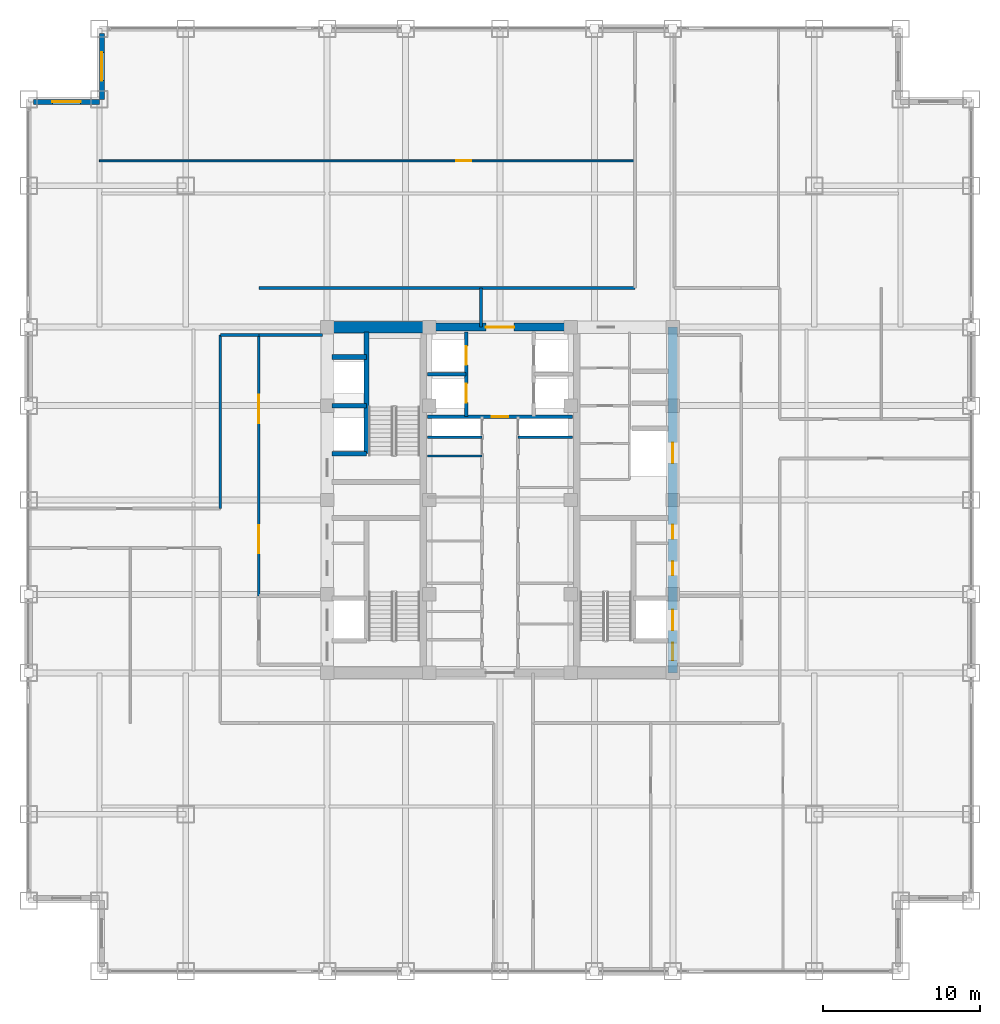
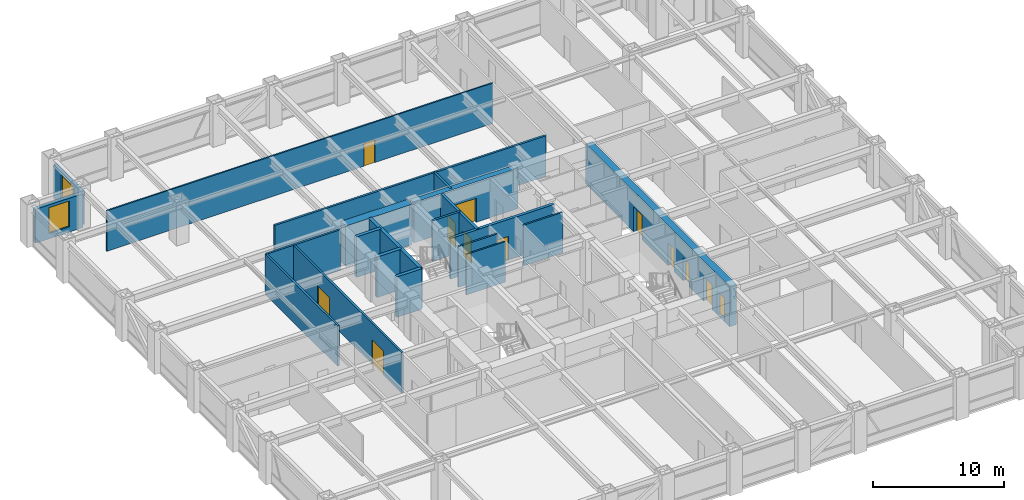
# One storey, part 22 of 25: 22 walls, 12 doors, 2 windows, 14 openings.
"""IFC4 building model written with IfcOpenShell, lengths in metres."""

from ifc_helpers import new_model, si_unit, direction, frame, frame_2d, origin, place, context, subcontext, project, spatial, rectangle, extrude, source, transform, mapped, material, layer, layer_set, type_object, element, fill, save


model = new_model("IFC4")

# Units and contexts
model_context = context("Model", 3, precision=1e-05, world=origin(), true_north=direction((0.0, 1.0)))
body_context = subcontext(model_context, "Body", "Model", "MODEL_VIEW")
ifc_project = project(units=[si_unit("LENGTHUNIT", "METRE"), si_unit("AREAUNIT", "SQUARE_METRE"), si_unit("VOLUMEUNIT", "CUBIC_METRE"), si_unit("PLANEANGLEUNIT", "RADIAN"), si_unit("MASSUNIT", "GRAM", prefix="KILO")], contexts=[model_context])

# Site, building, storey
site_placement = place(None, origin())
site = spatial("IfcSite", under=ifc_project, at=site_placement, CompositionType="ELEMENT")
building_placement = place(site_placement, origin())
building = spatial("IfcBuilding", under=site, at=building_placement, Name="Khorayat Bourse Tower", CompositionType="ELEMENT")
storey_placement = place(building_placement, frame((0.0, 0.0, 195.10009765625)))
storey = spatial("IfcBuildingStorey", under=building, at=storey_placement, Name="L45", CompositionType="ELEMENT", Elevation=195.10009765625)

# Wall, openings, doors
ifc_material_1 = material(Name="Concrete C60/75", Category="concrete")
ifc_layer_1 = layer(ifc_material_1, 0.60009765625)
ifc_layer_set_1 = layer_set([ifc_layer_1], Name="Concrete C60/75")
wall_type_1 = type_object("IfcWallType", Name="WAL-CORE-600", PredefinedType="SHEAR", material=ifc_layer_set_1)
shared_shape_1 = source(origin(), body_context, "Body", "SweptSolid", [
    extrude(rectangle(XDim=22.0, YDim=0.60009765625, at=frame_2d((11.0, 0.0))), origin(), (0.0, 0.0, 1.0), 3.77978515625),
])
wall_1_placement = place(storey_placement, frame((11.0, -11.0, 0.0), z_axis=(0.0, 0.0, 1.0), x_axis=(0.0, 1.0, 0.0)))
wall_1 = element("IfcWall", 1, at=wall_1_placement, inside=storey, type_object=wall_type_1, Name="L45 Core Shear Wall CORE-E", PredefinedType="SHEAR", context=body_context, shape_type="MappedRepresentation", body=[
    mapped(shared_shape_1, transform((0.0, 0.0, 0.0), scale=1.0)),
])
shared_shape_2 = source(origin(), body_context, "Body", "SweptSolid", [
    extrude(rectangle(XDim=1.10009765625, YDim=2.199951171875, at=frame_2d((0.550048828125, 1.10009765625))), frame((0.0, 0.31005859375, 0.0), z_axis=(0.0, -1.0, 0.0), x_axis=(1.0, 0.0, 0.0)), (0.0, 0.0, 1.0), 0.6201171875),
])
opening_1_placement = place(wall_1_placement, frame((0.800048828125, 0.0, 0.0)))
opening_1 = element("IfcOpeningElement", 2, at=opening_1_placement, cuts=wall_1, Name="Opening DI-01", PredefinedType="OPENING", context=body_context, shape_type="MappedRepresentation", body=[
    mapped(shared_shape_2, transform((0.0, 0.0, 0.0), scale=1.0)),
])
shared_shape_3 = source(origin(), body_context, "Body", "SweptSolid", [
    extrude(rectangle(XDim=0.89990234375, YDim=2.14990234375, at=frame_2d((0.449951171875, 1.074951171875))), frame((0.0, 0.31005859375, 0.0), z_axis=(0.0, -1.0, 0.0), x_axis=(1.0, 0.0, 0.0)), (0.0, 0.0, 1.0), 0.6201171875),
])
opening_2_placement = place(wall_1_placement, frame((6.199951171875, 0.0, 0.0)))
opening_2 = element("IfcOpeningElement", 3, at=opening_2_placement, cuts=wall_1, Name="Opening DI-06", PredefinedType="OPENING", context=body_context, shape_type="MappedRepresentation", body=[
    mapped(shared_shape_3, transform((0.0, 0.0, 0.0), scale=1.0)),
])
opening_3_placement = place(wall_1_placement, frame((8.52490234375, 0.0, 0.0)))
opening_3 = element("IfcOpeningElement", 4, at=opening_3_placement, cuts=wall_1, Name="Opening DI-06", PredefinedType="OPENING", context=body_context, shape_type="MappedRepresentation", body=[
    mapped(shared_shape_3, transform((0.0, 0.0, 0.0), scale=1.0)),
])
shared_shape_4 = source(origin(), body_context, "Body", "SweptSolid", [
    extrude(rectangle(XDim=1.300048828125, YDim=2.300048828125, at=frame_2d((0.64990234375, 1.14990234375))), frame((0.0, 0.31005859375, 0.0), z_axis=(0.0, -1.0, 0.0), x_axis=(1.0, 0.0, 0.0)), (0.0, 0.0, 1.0), 0.6201171875),
])
opening_4_placement = place(wall_1_placement, frame((2.699951171875, 0.0, 0.0)))
opening_4 = element("IfcOpeningElement", 5, at=opening_4_placement, cuts=wall_1, Name="Opening LD-02", PredefinedType="OPENING", context=body_context, shape_type="MappedRepresentation", body=[
    mapped(shared_shape_4, transform((0.0, 0.0, 0.0), scale=1.0)),
])
opening_5_placement = place(wall_1_placement, frame((13.35009765625, 0.0, 0.0)))
opening_5 = element("IfcOpeningElement", 6, at=opening_5_placement, cuts=wall_1, Name="Opening LD-02", PredefinedType="OPENING", context=body_context, shape_type="MappedRepresentation", body=[
    mapped(shared_shape_4, transform((0.0, 0.0, 0.0), scale=1.0)),
])
ifc_material_2 = material(Name="Fire-rated steel acoustic leaf", Category="steel")
door_type_1 = type_object("IfcDoorType", Name="DR-INT-STAIR-1100", OperationType="NOTDEFINED", PredefinedType="DOOR", material=ifc_material_2)
shared_shape_5 = source(origin(), body_context, "Body", "SweptSolid", [
    extrude(rectangle(XDim=1.10009765625, YDim=2.199951171875, at=frame_2d((0.550048828125, 1.10009765625))), frame((0.0, 0.02490234375, 0.0), z_axis=(0.0, -1.0, 0.0), x_axis=(1.0, 0.0, 0.0)), (0.0, 0.0, 1.0), 0.050048828125),
])
door_1_placement = place(opening_1_placement, origin())
door_1 = element("IfcDoor", 7, at=door_1_placement, inside=storey, type_object=door_type_1, Name="L45 Exit Stair 3 Door", OperationType="SINGLE_SWING_LEFT", OverallHeight=2.199951171875, OverallWidth=1.10009765625, PredefinedType="DOOR", context=body_context, shape_type="MappedRepresentation", body=[
    mapped(shared_shape_5, transform((0.0, 0.0, 0.0), scale=1.0)),
])
fill(opening_1, door_1)
ifc_material_3 = material(Name="Moisture-resistant laminate washroom door")
door_type_2 = type_object("IfcDoorType", Name="DR-INT-WC-900", OperationType="NOTDEFINED", PredefinedType="DOOR", material=ifc_material_3)
shared_shape_6 = source(origin(), body_context, "Body", "SweptSolid", [
    extrude(rectangle(XDim=0.89990234375, YDim=2.14990234375, at=frame_2d((0.449951171875, 1.074951171875))), frame((0.0, 0.02490234375, 0.0), z_axis=(0.0, -1.0, 0.0), x_axis=(1.0, 0.0, 0.0)), (0.0, 0.0, 1.0), 0.050048828125),
])
door_2_placement = place(opening_2_placement, origin())
door_2 = element("IfcDoor", 8, at=door_2_placement, inside=storey, type_object=door_type_2, Name="L45 Telecom Closet Door", OperationType="SINGLE_SWING_LEFT", OverallHeight=2.14990234375, OverallWidth=0.89990234375, PredefinedType="DOOR", context=body_context, shape_type="MappedRepresentation", body=[
    mapped(shared_shape_6, transform((0.0, 0.0, 0.0), scale=1.0)),
])
fill(opening_2, door_2)
door_3_placement = place(opening_3_placement, origin())
door_3 = element("IfcDoor", 9, at=door_3_placement, inside=storey, type_object=door_type_2, Name="L45 Stationery Store Door", OperationType="SINGLE_SWING_RIGHT", OverallHeight=2.14990234375, OverallWidth=0.89990234375, PredefinedType="DOOR", context=body_context, shape_type="MappedRepresentation", body=[
    mapped(shared_shape_6, transform((0.0, 0.0, 0.0), scale=1.0)),
])
fill(opening_3, door_3)
ifc_material_4 = material(Name="Fire-rated stainless-steel sliding landing door", Category="steel")
door_type_3 = type_object("IfcDoorType", Name="DR-LIFT-FF-1300", OperationType="NOTDEFINED", PredefinedType="DOOR", material=ifc_material_4)
shared_shape_7 = source(origin(), body_context, "Body", "SweptSolid", [
    extrude(rectangle(XDim=1.300048828125, YDim=2.300048828125, at=frame_2d((0.64990234375, 1.14990234375))), frame((0.0, 0.02490234375, 0.0), z_axis=(0.0, -1.0, 0.0), x_axis=(1.0, 0.0, 0.0)), (0.0, 0.0, 1.0), 0.050048828125),
])
door_4_placement = place(opening_4_placement, origin())
door_4 = element("IfcDoor", 10, at=door_4_placement, inside=storey, type_object=door_type_3, Name="L45 Lift FFL-02 Sliding Landing Door", OperationType="SLIDING_TO_LEFT", OverallHeight=2.300048828125, OverallWidth=1.300048828125, PredefinedType="DOOR", context=body_context, shape_type="MappedRepresentation", body=[
    mapped(shared_shape_7, transform((0.0, 0.0, 0.0), scale=1.0)),
])
fill(opening_4, door_4)
door_5_placement = place(opening_5_placement, origin())
door_5 = element("IfcDoor", 11, at=door_5_placement, inside=storey, type_object=door_type_3, Name="L45 Lift SVL-01 Sliding Landing Door", OperationType="SLIDING_TO_LEFT", OverallHeight=2.300048828125, OverallWidth=1.300048828125, PredefinedType="DOOR", context=body_context, shape_type="MappedRepresentation", body=[
    mapped(shared_shape_7, transform((0.0, 0.0, 0.0), scale=1.0)),
])
fill(opening_5, door_5)

# Wall
ifc_material_5 = material(Name="Concrete C72/90", Category="concrete")
ifc_layer_2 = layer(ifc_material_5, 0.75)
ifc_layer_set_2 = layer_set([ifc_layer_2], Name="Concrete C72/90")
wall_type_2 = type_object("IfcWallType", Name="WAL-CORE-750", PredefinedType="SHEAR", material=ifc_layer_set_2)
shared_shape_8 = source(origin(), body_context, "Body", "SweptSolid", [
    extrude(rectangle(XDim=5.849853515625, YDim=0.75, at=frame_2d((2.9248046875, 0.0))), origin(), (0.0, 0.0, 1.0), 3.77978515625),
])
wall_2_placement = place(storey_placement, frame((-10.699951171875, 11.0, 0.0), z_axis=(0.0, 0.0, 1.0), x_axis=(1.0, 0.0, 0.0)))
element("IfcWall", 12, at=wall_2_placement, inside=storey, type_object=wall_type_2, Name="L45 Core Shear Wall PIER-WN", PredefinedType="SHEAR", context=body_context, shape_type="MappedRepresentation", body=[
    mapped(shared_shape_8, transform((0.0, 0.0, 0.0), scale=1.0)),
])

# Wall, opening, door
ifc_material_6 = material(Name="Concrete C52/65", Category="concrete")
ifc_layer_3 = layer(ifc_material_6, 0.5)
ifc_layer_set_3 = layer_set([ifc_layer_3], Name="Concrete C52/65")
wall_type_3 = type_object("IfcWallType", Name="WAL-CORE-500", PredefinedType="SHEAR", material=ifc_layer_set_3)
shared_shape_9 = source(origin(), body_context, "Body", "SweptSolid", [
    extrude(rectangle(XDim=9.2001953125, YDim=0.5, at=frame_2d((4.60009765625, 0.0))), origin(), (0.0, 0.0, 1.0), 3.77978515625),
])
wall_3_placement = place(storey_placement, frame((-4.60009765625, 11.0, 0.0), z_axis=(0.0, 0.0, 1.0), x_axis=(1.0, 0.0, 0.0)))
wall_3 = element("IfcWall", 13, at=wall_3_placement, inside=storey, type_object=wall_type_3, Name="L45 Core Shear Wall CORE-N", PredefinedType="SHEAR", context=body_context, shape_type="MappedRepresentation", body=[
    mapped(shared_shape_9, transform((0.0, 0.0, 0.0), scale=1.0)),
])
shared_shape_10 = source(origin(), body_context, "Body", "SweptSolid", [
    extrude(rectangle(XDim=1.800048828125, YDim=2.25, at=frame_2d((0.89990234375, 1.125))), frame((0.0, 0.260009765625, 0.0), z_axis=(0.0, -1.0, 0.0), x_axis=(1.0, 0.0, 0.0)), (0.0, 0.0, 1.0), 0.52001953125),
])
opening_6_placement = place(wall_3_placement, frame((3.699951171875, 0.0, 0.0)))
opening_6 = element("IfcOpeningElement", 14, at=opening_6_placement, cuts=wall_3, Name="Opening DI-03", PredefinedType="OPENING", context=body_context, shape_type="MappedRepresentation", body=[
    mapped(shared_shape_10, transform((0.0, 0.0, 0.0), scale=1.0)),
])
ifc_material_7 = material(Name="Fire-rated hardwood vision-panel double leaf", Category="wood")
door_type_4 = type_object("IfcDoorType", Name="DR-INT-CORR-1800", OperationType="NOTDEFINED", PredefinedType="DOOR", material=ifc_material_7)
shared_shape_11 = source(origin(), body_context, "Body", "SweptSolid", [
    extrude(rectangle(XDim=1.800048828125, YDim=2.25, at=frame_2d((0.89990234375, 1.125))), frame((0.0, 0.02490234375, 0.0), z_axis=(0.0, -1.0, 0.0), x_axis=(1.0, 0.0, 0.0)), (0.0, 0.0, 1.0), 0.050048828125),
])
door_6_placement = place(opening_6_placement, origin())
door_6 = element("IfcDoor", 15, at=door_6_placement, inside=storey, type_object=door_type_4, Name="L45 Mid-Rise Lift Lobby Door", OperationType="SINGLE_SWING_RIGHT", OverallHeight=2.25, OverallWidth=1.800048828125, PredefinedType="DOOR", context=body_context, shape_type="MappedRepresentation", body=[
    mapped(shared_shape_11, transform((0.0, 0.0, 0.0), scale=1.0)),
])
fill(opening_6, door_6)

# Wall, opening, window
ifc_material_8 = material(Name="Precast concrete C45/55", Category="concrete")
ifc_layer_4 = layer(ifc_material_8, 0.320068359375)
ifc_layer_set_4 = layer_set([ifc_layer_4], Name="Precast concrete C45/55")
wall_type_4 = type_object("IfcWallType", Name="WAL-EXT-STONE-320", PredefinedType="STANDARD", material=ifc_layer_set_4)
shared_shape_12 = source(origin(), body_context, "Body", "SweptSolid", [
    extrude(rectangle(XDim=4.179931640625, YDim=0.320068359375, at=frame_2d((2.08984375, 0.0))), origin(), (0.0, 0.0, 1.0), 3.163818359375),
])
wall_4_placement = place(storey_placement, frame((-25.340087890625, 25.5, 0.0), z_axis=(0.0, 0.0, 1.0), x_axis=(0.0, 1.0, 0.0)))
wall_4 = element("IfcWall", 16, at=wall_4_placement, inside=storey, type_object=wall_type_4, Name="L45 Re-Entrant Notch Limestone Wall NW-V", PredefinedType="STANDARD", context=body_context, shape_type="MappedRepresentation", body=[
    mapped(shared_shape_12, transform((0.0, 0.0, 0.0), scale=1.0)),
])
shared_shape_13 = source(origin(), body_context, "Body", "SweptSolid", [
    extrude(rectangle(XDim=1.800048828125, YDim=2.39990234375, at=frame_2d((0.89990234375, 1.199951171875))), frame((0.0, 0.169921875, 0.0), z_axis=(0.0, -1.0, 0.0), x_axis=(1.0, 0.0, 0.0)), (0.0, 0.0, 1.0), 0.340087890625),
])
opening_7_placement = place(wall_4_placement, frame((1.18994140625, 0.0, 0.5)))
opening_7 = element("IfcOpeningElement", 17, at=opening_7_placement, cuts=wall_4, Name="Opening WN-04", PredefinedType="OPENING", context=body_context, shape_type="MappedRepresentation", body=[
    mapped(shared_shape_13, transform((0.0, 0.0, 0.0), scale=1.0)),
])
ifc_material_9 = material(Name="Low-E acoustic laminated double glazing", Category="glass")
window_type = type_object("IfcWindowType", Name="WIN-NOTCH-1800x2400", PartitioningType="SINGLE_PANEL", PredefinedType="WINDOW", material=ifc_material_9)
shared_shape_14 = source(origin(), body_context, "Body", "SweptSolid", [
    extrude(rectangle(XDim=1.800048828125, YDim=2.39990234375, at=frame_2d((0.89990234375, 1.199951171875))), frame((0.0, 0.030029296875, 0.0), z_axis=(0.0, -1.0, 0.0), x_axis=(1.0, 0.0, 0.0)), (0.0, 0.0, 1.0), 0.06005859375),
])
window_1_placement = place(opening_7_placement, origin())
window_1 = element("IfcWindow", 18, at=window_1_placement, inside=storey, type_object=window_type, Name="L45 Facade Window 1", OverallHeight=2.39990234375, OverallWidth=1.800048828125, PartitioningType="SINGLE_PANEL", PredefinedType="WINDOW", context=body_context, shape_type="MappedRepresentation", body=[
    mapped(shared_shape_14, transform((0.0, 0.0, 0.0), scale=1.0)),
])
fill(opening_7, window_1)

wall_5_placement = place(storey_placement, frame((-25.5, 25.340087890625, 0.0), z_axis=(0.0, 0.0, 1.0), x_axis=(-1.0, 0.0, 0.0)))
wall_5 = element("IfcWall", 19, at=wall_5_placement, inside=storey, type_object=wall_type_4, Name="L45 Re-Entrant Notch Limestone Wall NW-H", PredefinedType="STANDARD", context=body_context, shape_type="MappedRepresentation", body=[
    mapped(shared_shape_12, transform((0.0, 0.0, 0.0), scale=1.0)),
])
opening_8_placement = place(wall_5_placement, frame((1.18994140625, 0.0, 0.5)))
opening_8 = element("IfcOpeningElement", 20, at=opening_8_placement, cuts=wall_5, Name="Opening WN-04", PredefinedType="OPENING", context=body_context, shape_type="MappedRepresentation", body=[
    mapped(shared_shape_13, transform((0.0, 0.0, 0.0), scale=1.0)),
])
window_2_placement = place(opening_8_placement, origin())
window_2 = element("IfcWindow", 21, at=window_2_placement, inside=storey, type_object=window_type, Name="L45 Facade Window 1", OverallHeight=2.39990234375, OverallWidth=1.800048828125, PartitioningType="SINGLE_PANEL", PredefinedType="WINDOW", context=body_context, shape_type="MappedRepresentation", body=[
    mapped(shared_shape_14, transform((0.0, 0.0, 0.0), scale=1.0)),
])
fill(opening_8, window_2)

# Walls
ifc_material_10 = material(Name="Concrete C50/60", Category="concrete")
ifc_layer_5 = layer(ifc_material_10, 0.300048828125)
ifc_layer_set_5 = layer_set([ifc_layer_5], Name="Concrete C50/60")
wall_type_5 = type_object("IfcWallType", Name="WAL-SHAFT-300", PredefinedType="SHEAR", material=ifc_layer_set_5)
shared_shape_15 = source(origin(), body_context, "Body", "SweptSolid", [
    extrude(rectangle(XDim=2.199951171875, YDim=0.300048828125, at=frame_2d((1.10009765625, 0.0))), origin(), (0.0, 0.0, 1.0), 3.77978515625),
])
for number, where, z_axis, x_axis, name in (
    (22, (-10.699951171875, 2.949951171875, 0.0), (0.0, 0.0, 1.0), (1.0, 0.0, 0.0), "L45 Partition WAL-L45-WPIER-H1S"),
    (23, (-10.699951171875, 6.0, 0.0), (0.0, 0.0, 1.0), (1.0, 0.0, 0.0), "L45 Partition WAL-L45-WPIER-H12"),
    (24, (-10.699951171875, 9.10009765625, 0.0), (0.0, 0.0, 1.0), (1.0, 0.0, 0.0), "L45 Partition WAL-L45-WPIER-H2N"),
):
    element("IfcWall", number, at=place(storey_placement, frame(where, z_axis=z_axis, x_axis=x_axis)), inside=storey, type_object=wall_type_5, Name=name, PredefinedType="SHEAR", context=body_context, shape_type="MappedRepresentation", body=[
        mapped(shared_shape_15, transform((0.0, 0.0, 0.0), scale=1.0)),
    ])
shared_shape_16 = source(origin(), body_context, "Body", "SweptSolid", [
    extrude(rectangle(XDim=7.75, YDim=0.300048828125, at=frame_2d((3.875, 0.0))), origin(), (0.0, 0.0, 1.0), 3.77978515625),
])
wall_6_placement = place(storey_placement, frame((-8.5, 2.949951171875, 0.0), z_axis=(0.0, 0.0, 1.0), x_axis=(0.0, 1.0, 0.0)))
element("IfcWall", 25, at=wall_6_placement, inside=storey, type_object=wall_type_5, Name="L45 Partition WAL-L45-WPIER-ST2S", PredefinedType="SHEAR", context=body_context, shape_type="MappedRepresentation", body=[
    mapped(shared_shape_16, transform((0.0, 0.0, 0.0), scale=1.0)),
])
ifc_material_11 = material(Name="Gypsum plasterboard acoustic stud wall")
ifc_layer_6 = layer(ifc_material_11, 0.179931640625)
ifc_layer_set_6 = layer_set([ifc_layer_6], Name="Gypsum plasterboard acoustic stud wall")
wall_type_6 = type_object("IfcWallType", Name="WAL-PART-CORR-180", PredefinedType="PARTITIONING", material=ifc_layer_set_6)
shared_shape_17 = source(origin(), body_context, "Body", "SweptSolid", [
    extrude(rectangle(XDim=4.050048828125, YDim=0.179931640625, at=frame_2d((2.02490234375, 0.0))), origin(), (0.0, 0.0, 1.0), 3.77978515625),
])
wall_7_placement = place(storey_placement, frame((-15.35009765625, 10.5, 0.0), z_axis=(0.0, 0.0, 1.0), x_axis=(1.0, 0.0, 0.0)))
element("IfcWall", 26, at=wall_7_placement, inside=storey, type_object=wall_type_6, Name="L45 Partition WAL-L45-WLOB-N", PredefinedType="PARTITIONING", context=body_context, shape_type="MappedRepresentation", body=[
    mapped(shared_shape_17, transform((0.0, 0.0, 0.0), scale=1.0)),
])

# Wall, openings, doors
shared_shape_18 = source(origin(), body_context, "Body", "SweptSolid", [
    extrude(rectangle(XDim=16.60009765625, YDim=0.179931640625, at=frame_2d((8.300048828125, 0.0))), origin(), (0.0, 0.0, 1.0), 3.77978515625),
])
wall_8_placement = place(storey_placement, frame((-15.35009765625, -6.10009765625, 0.0), z_axis=(0.0, 0.0, 1.0), x_axis=(0.0, 1.0, 0.0)))
wall_8 = element("IfcWall", 27, at=wall_8_placement, inside=storey, type_object=wall_type_6, Name="L45 Partition WAL-L45-WLOB-W", PredefinedType="PARTITIONING", context=body_context, shape_type="MappedRepresentation", body=[
    mapped(shared_shape_18, transform((0.0, 0.0, 0.0), scale=1.0)),
])
shared_shape_19 = source(origin(), body_context, "Body", "SweptSolid", [
    extrude(rectangle(XDim=1.800048828125, YDim=2.25, at=frame_2d((0.89990234375, 1.125))), frame((0.0, 0.099853515625, 0.0), z_axis=(0.0, -1.0, 0.0), x_axis=(1.0, 0.0, 0.0)), (0.0, 0.0, 1.0), 0.199951171875),
])
opening_9_placement = place(wall_8_placement, frame((2.699951171875, 0.0, 0.0)))
opening_9 = element("IfcOpeningElement", 28, at=opening_9_placement, cuts=wall_8, Name="Opening DI-03", PredefinedType="OPENING", context=body_context, shape_type="MappedRepresentation", body=[
    mapped(shared_shape_19, transform((0.0, 0.0, 0.0), scale=1.0)),
])
opening_10_placement = place(wall_8_placement, frame((11.0, 0.0, 0.0)))
opening_10 = element("IfcOpeningElement", 29, at=opening_10_placement, cuts=wall_8, Name="Opening DI-03", PredefinedType="OPENING", context=body_context, shape_type="MappedRepresentation", body=[
    mapped(shared_shape_19, transform((0.0, 0.0, 0.0), scale=1.0)),
])
door_7_placement = place(opening_9_placement, origin())
door_7 = element("IfcDoor", 30, at=door_7_placement, inside=storey, type_object=door_type_4, Name="L45 West Core Lobby South Door", OperationType="SINGLE_SWING_LEFT", OverallHeight=2.25, OverallWidth=1.800048828125, PredefinedType="DOOR", context=body_context, shape_type="MappedRepresentation", body=[
    mapped(shared_shape_11, transform((0.0, 0.0, 0.0), scale=1.0)),
])
fill(opening_9, door_7)
door_8_placement = place(opening_10_placement, origin())
door_8 = element("IfcDoor", 31, at=door_8_placement, inside=storey, type_object=door_type_4, Name="L45 West Core Lobby North Door", OperationType="SINGLE_SWING_RIGHT", OverallHeight=2.25, OverallWidth=1.800048828125, PredefinedType="DOOR", context=body_context, shape_type="MappedRepresentation", body=[
    mapped(shared_shape_11, transform((0.0, 0.0, 0.0), scale=1.0)),
])
fill(opening_10, door_8)

# Walls
ifc_material_12 = material(Name="Gypsum plasterboard twin-frame partition")
ifc_layer_7 = layer(ifc_material_12, 0.14990234375)
ifc_layer_set_7 = layer_set([ifc_layer_7], Name="Gypsum plasterboard twin-frame partition")
wall_type_7 = type_object("IfcWallType", Name="WAL-PART-SUITE-150", PredefinedType="PARTITIONING", material=ifc_layer_set_7)
shared_shape_20 = source(origin(), body_context, "Body", "SweptSolid", [
    extrude(rectangle(XDim=3.4501953125, YDim=0.14990234375, at=frame_2d((1.72509765625, 0.0))), origin(), (0.0, 0.0, 1.0), 3.77978515625),
])
for number, where, z_axis, x_axis, name in (
    (32, (-4.60009765625, 4.0, 0.0), (0.0, 0.0, 1.0), (1.0, 0.0, 0.0), "L45 Partition WAL-L45-CRSW-S"),
    (33, (1.14990234375, 4.0, 0.0), (0.0, 0.0, 1.0), (1.0, 0.0, 0.0), "L45 Partition WAL-L45-CRSE-S"),
):
    element("IfcWall", number, at=place(storey_placement, frame(where, z_axis=z_axis, x_axis=x_axis)), inside=storey, type_object=wall_type_7, Name=name, PredefinedType="PARTITIONING", context=body_context, shape_type="MappedRepresentation", body=[
        mapped(shared_shape_20, transform((0.0, 0.0, 0.0), scale=1.0)),
    ])
ifc_material_13 = material(Name="Moisture-resistant masonry partition", Category="masonry")
ifc_layer_8 = layer(ifc_material_13, 0.139892578125)
ifc_layer_set_8 = layer_set([ifc_layer_8], Name="Moisture-resistant masonry partition")
wall_type_8 = type_object("IfcWallType", Name="WAL-PART-WET-140", PredefinedType="PARTITIONING", material=ifc_layer_set_8)
shared_shape_21 = source(origin(), body_context, "Body", "SweptSolid", [
    extrude(rectangle(XDim=3.4501953125, YDim=0.139892578125, at=frame_2d((1.72509765625, 0.0))), origin(), (0.0, 0.0, 1.0), 3.77978515625),
])
wall_9_placement = place(storey_placement, frame((-4.60009765625, 2.800048828125, 0.0), z_axis=(0.0, 0.0, 1.0), x_axis=(1.0, 0.0, 0.0)))
element("IfcWall", 34, at=wall_9_placement, inside=storey, type_object=wall_type_8, Name="L45 Partition WAL-L45-CMW-D3", PredefinedType="PARTITIONING", context=body_context, shape_type="MappedRepresentation", body=[
    mapped(shared_shape_21, transform((0.0, 0.0, 0.0), scale=1.0)),
])

# Wall, openings, doors
shared_shape_22 = source(origin(), body_context, "Body", "SweptSolid", [
    extrude(rectangle(XDim=5.39990234375, YDim=0.25, at=frame_2d((2.699951171875, 0.0))), origin(), (0.0, 0.0, 1.0), 3.77978515625),
])
wall_10_placement = place(storey_placement, frame((-2.14990234375, 5.300048828125, 0.0), z_axis=(0.0, 0.0, 1.0), x_axis=(0.0, 1.0, 0.0)))
wall_10 = element("IfcWall", 35, at=wall_10_placement, inside=storey, type_object=wall_type_5, Name="L45 Partition WAL-L45-B2-W", PredefinedType="SHEAR", context=body_context, shape_type="MappedRepresentation", body=[
    mapped(shared_shape_22, transform((0.0, 0.0, 0.0), scale=1.0)),
])
shared_shape_23 = source(origin(), body_context, "Body", "SweptSolid", [
    extrude(rectangle(XDim=1.199951171875, YDim=2.300048828125, at=frame_2d((0.60009765625, 1.14990234375))), frame((0.0, 0.135009765625, 0.0), z_axis=(0.0, -1.0, 0.0), x_axis=(1.0, 0.0, 0.0)), (0.0, 0.0, 1.0), 0.27001953125),
])
opening_11_placement = place(wall_10_placement, frame((3.300048828125, 0.0, 0.0)))
opening_11 = element("IfcOpeningElement", 36, at=opening_11_placement, cuts=wall_10, Name="Opening LD-01", PredefinedType="OPENING", context=body_context, shape_type="MappedRepresentation", body=[
    mapped(shared_shape_23, transform((0.0, 0.0, 0.0), scale=1.0)),
])
opening_12_placement = place(wall_10_placement, frame((0.89990234375, 0.0, 0.0)))
opening_12 = element("IfcOpeningElement", 37, at=opening_12_placement, cuts=wall_10, Name="Opening LD-01", PredefinedType="OPENING", context=body_context, shape_type="MappedRepresentation", body=[
    mapped(shared_shape_23, transform((0.0, 0.0, 0.0), scale=1.0)),
])
ifc_material_14 = material(Name="Brushed bronze stainless-steel sliding door", Category="steel")
door_type_5 = type_object("IfcDoorType", Name="DR-LIFT-PASS-1200", OperationType="NOTDEFINED", PredefinedType="DOOR", material=ifc_material_14)
shared_shape_24 = source(origin(), body_context, "Body", "SweptSolid", [
    extrude(rectangle(XDim=1.199951171875, YDim=2.300048828125, at=frame_2d((0.60009765625, 1.14990234375))), frame((0.0, 0.02490234375, 0.0), z_axis=(0.0, -1.0, 0.0), x_axis=(1.0, 0.0, 0.0)), (0.0, 0.0, 1.0), 0.050048828125),
])
door_9_placement = place(opening_11_placement, origin())
door_9 = element("IfcDoor", 38, at=door_9_placement, inside=storey, type_object=door_type_5, Name="L45 Lift PL-M1 Sliding Landing Door", OperationType="SLIDING_TO_LEFT", OverallHeight=2.300048828125, OverallWidth=1.199951171875, PredefinedType="DOOR", context=body_context, shape_type="MappedRepresentation", body=[
    mapped(shared_shape_24, transform((0.0, 0.0, 0.0), scale=1.0)),
])
fill(opening_11, door_9)
door_10_placement = place(opening_12_placement, origin())
door_10 = element("IfcDoor", 39, at=door_10_placement, inside=storey, type_object=door_type_5, Name="L45 Lift PL-M3 Sliding Landing Door", OperationType="SLIDING_TO_LEFT", OverallHeight=2.300048828125, OverallWidth=1.199951171875, PredefinedType="DOOR", context=body_context, shape_type="MappedRepresentation", body=[
    mapped(shared_shape_24, transform((0.0, 0.0, 0.0), scale=1.0)),
])
fill(opening_12, door_10)

# Wall
shared_shape_25 = source(origin(), body_context, "Body", "SweptSolid", [
    extrude(rectangle(XDim=2.4501953125, YDim=0.199951171875, at=frame_2d((1.22509765625, 0.0))), origin(), (0.0, 0.0, 1.0), 3.77978515625),
])
wall_11_placement = place(storey_placement, frame((-4.60009765625, 8.0, 0.0), z_axis=(0.0, 0.0, 1.0), x_axis=(1.0, 0.0, 0.0)))
element("IfcWall", 40, at=wall_11_placement, inside=storey, type_object=wall_type_5, Name="L45 Partition WAL-L45-B2-MW", PredefinedType="SHEAR", context=body_context, shape_type="MappedRepresentation", body=[
    mapped(shared_shape_25, transform((0.0, 0.0, 0.0), scale=1.0)),
])

# Wall, opening, door
shared_shape_26 = source(origin(), body_context, "Body", "SweptSolid", [
    extrude(rectangle(XDim=9.2001953125, YDim=0.25, at=frame_2d((4.60009765625, 0.0))), origin(), (0.0, 0.0, 1.0), 3.77978515625),
])
wall_12_placement = place(storey_placement, frame((-4.60009765625, 5.300048828125, 0.0), z_axis=(0.0, 0.0, 1.0), x_axis=(1.0, 0.0, 0.0)))
wall_12 = element("IfcWall", 41, at=wall_12_placement, inside=storey, type_object=wall_type_5, Name="L45 Partition WAL-L45-B2-S", PredefinedType="SHEAR", context=body_context, shape_type="MappedRepresentation", body=[
    mapped(shared_shape_26, transform((0.0, 0.0, 0.0), scale=1.0)),
])
shared_shape_27 = source(origin(), body_context, "Body", "SweptSolid", [
    extrude(rectangle(XDim=1.050048828125, YDim=2.199951171875, at=frame_2d((0.52490234375, 1.10009765625))), frame((0.0, 0.135009765625, 0.0), z_axis=(0.0, -1.0, 0.0), x_axis=(1.0, 0.0, 0.0)), (0.0, 0.0, 1.0), 0.27001953125),
])
opening_13_placement = place(wall_12_placement, frame((4.074951171875, 0.0, 0.0)))
opening_13 = element("IfcOpeningElement", 42, at=opening_13_placement, cuts=wall_12, Name="Opening DI-04", PredefinedType="OPENING", context=body_context, shape_type="MappedRepresentation", body=[
    mapped(shared_shape_27, transform((0.0, 0.0, 0.0), scale=1.0)),
])
ifc_material_15 = material(Name="Fire-rated oak veneer suite entrance door")
door_type_6 = type_object("IfcDoorType", Name="DR-INT-SUITE-1050", OperationType="NOTDEFINED", PredefinedType="DOOR", material=ifc_material_15)
shared_shape_28 = source(origin(), body_context, "Body", "SweptSolid", [
    extrude(rectangle(XDim=1.050048828125, YDim=2.199951171875, at=frame_2d((0.52490234375, 1.10009765625))), frame((0.0, 0.02490234375, 0.0), z_axis=(0.0, -1.0, 0.0), x_axis=(1.0, 0.0, 0.0)), (0.0, 0.0, 1.0), 0.050048828125),
])
door_11_placement = place(opening_13_placement, origin())
door_11 = element("IfcDoor", 43, at=door_11_placement, inside=storey, type_object=door_type_6, Name="L45 Core Spine North Door", OperationType="SINGLE_SWING_RIGHT", OverallHeight=2.199951171875, OverallWidth=1.050048828125, PredefinedType="DOOR", context=body_context, shape_type="MappedRepresentation", body=[
    mapped(shared_shape_28, transform((0.0, 0.0, 0.0), scale=1.0)),
])
fill(opening_13, door_11)

# Walls
shared_shape_29 = source(origin(), body_context, "Body", "SweptSolid", [
    extrude(rectangle(XDim=2.449951171875, YDim=0.179931640625, at=frame_2d((1.22509765625, 0.0))), origin(), (0.0, 0.0, 1.0), 3.77978515625),
])
wall_13_placement = place(storey_placement, frame((-17.800048828125, 10.5, 0.0), z_axis=(0.0, 0.0, 1.0), x_axis=(1.0, 0.0, 0.0)))
element("IfcWall", 44, at=wall_13_placement, inside=storey, type_object=wall_type_6, Name="L45 Partition WAL-L45-C2-WN", PredefinedType="PARTITIONING", context=body_context, shape_type="MappedRepresentation", body=[
    mapped(shared_shape_29, transform((0.0, 0.0, 0.0), scale=1.0)),
])
shared_shape_30 = source(origin(), body_context, "Body", "SweptSolid", [
    extrude(rectangle(XDim=2.5, YDim=0.179931640625, at=frame_2d((1.25, 0.0))), origin(), (0.0, 0.0, 1.0), 3.77978515625),
])
wall_14_placement = place(storey_placement, frame((-1.199951171875, 11.0, 0.0), z_axis=(0.0, 0.0, 1.0), x_axis=(0.0, 1.0, 0.0)))
element("IfcWall", 45, at=wall_14_placement, inside=storey, type_object=wall_type_6, Name="L45 Partition WAL-L45-C2-NCW", PredefinedType="PARTITIONING", context=body_context, shape_type="MappedRepresentation", body=[
    mapped(shared_shape_30, transform((0.0, 0.0, 0.0), scale=1.0)),
])

# Wall, opening, door
ifc_material_16 = material(Name="Gypsum plasterboard partition")
ifc_layer_9 = layer(ifc_material_16, 0.125)
ifc_layer_set_9 = layer_set([ifc_layer_9], Name="Gypsum plasterboard partition")
wall_type_9 = type_object("IfcWallType", Name="WAL-PART-ROOM-125", PredefinedType="PARTITIONING", material=ifc_layer_set_9)
shared_shape_31 = source(origin(), body_context, "Body", "SweptSolid", [
    extrude(rectangle(XDim=34.10009765625, YDim=0.125, at=frame_2d((17.050048828125, 0.0))), origin(), (0.0, 0.0, 1.0), 3.77978515625),
])
wall_15_placement = place(storey_placement, frame((-25.5, 21.5849609375, 0.0), z_axis=(0.0, 0.0, 1.0), x_axis=(1.0, 0.0, 0.0)))
wall_15 = element("IfcWall", 46, at=wall_15_placement, inside=storey, type_object=wall_type_9, Name="L45 Partition WAL-L45-QNWDP-1", PredefinedType="PARTITIONING", context=body_context, shape_type="MappedRepresentation", body=[
    mapped(shared_shape_31, transform((0.0, 0.0, 0.0), scale=1.0)),
])
shared_shape_32 = source(origin(), body_context, "Body", "SweptSolid", [
    extrude(rectangle(XDim=0.949951171875, YDim=2.14990234375, at=frame_2d((0.47509765625, 1.074951171875))), frame((0.0, 0.072509765625, 0.0), z_axis=(0.0, -1.0, 0.0), x_axis=(1.0, 0.0, 0.0)), (0.0, 0.0, 1.0), 0.14501953125),
])
opening_14_placement = place(wall_15_placement, frame((22.712890625, 0.0, 0.0)))
opening_14 = element("IfcOpeningElement", 47, at=opening_14_placement, cuts=wall_15, Name="Opening DI-05", PredefinedType="OPENING", context=body_context, shape_type="MappedRepresentation", body=[
    mapped(shared_shape_32, transform((0.0, 0.0, 0.0), scale=1.0)),
])
ifc_material_17 = material(Name="Acoustic oak veneer office door")
door_type_7 = type_object("IfcDoorType", Name="DR-INT-OFFICE-950", OperationType="NOTDEFINED", PredefinedType="DOOR", material=ifc_material_17)
shared_shape_33 = source(origin(), body_context, "Body", "SweptSolid", [
    extrude(rectangle(XDim=0.949951171875, YDim=2.14990234375, at=frame_2d((0.47509765625, 1.074951171875))), frame((0.0, 0.02490234375, 0.0), z_axis=(0.0, -1.0, 0.0), x_axis=(1.0, 0.0, 0.0)), (0.0, 0.0, 1.0), 0.050048828125),
])
door_12_placement = place(opening_14_placement, origin())
door_12 = element("IfcDoor", 48, at=door_12_placement, inside=storey, type_object=door_type_7, Name="L45 North-West Quantitative Research Study 1B Door", OperationType="SINGLE_SWING_RIGHT", OverallHeight=2.14990234375, OverallWidth=0.949951171875, PredefinedType="DOOR", context=body_context, shape_type="MappedRepresentation", body=[
    mapped(shared_shape_33, transform((0.0, 0.0, 0.0), scale=1.0)),
])
fill(opening_14, door_12)

# Walls
shared_shape_34 = source(origin(), body_context, "Body", "SweptSolid", [
    extrude(rectangle(XDim=23.9501953125, YDim=0.179931640625, at=frame_2d((11.97509765625, 0.0))), origin(), (0.0, 0.0, 1.0), 3.77978515625),
])
wall_16_placement = place(storey_placement, frame((-15.35009765625, 13.5, 0.0), z_axis=(0.0, 0.0, 1.0), x_axis=(1.0, 0.0, 0.0)))
element("IfcWall", 49, at=wall_16_placement, inside=storey, type_object=wall_type_6, Name="L45 Partition WAL-L45-QNW-HC", PredefinedType="PARTITIONING", context=body_context, shape_type="MappedRepresentation", body=[
    mapped(shared_shape_34, transform((0.0, 0.0, 0.0), scale=1.0)),
])
shared_shape_35 = source(origin(), body_context, "Body", "SweptSolid", [
    extrude(rectangle(XDim=11.050048828125, YDim=0.179931640625, at=frame_2d((5.52490234375, 0.0))), origin(), (0.0, 0.0, 1.0), 3.77978515625),
])
wall_17_placement = place(storey_placement, frame((-17.800048828125, -0.550048828125, 0.0), z_axis=(0.0, 0.0, 1.0), x_axis=(0.0, 1.0, 0.0)))
element("IfcWall", 50, at=wall_17_placement, inside=storey, type_object=wall_type_6, Name="L45 Partition WAL-L45-WN-IN", PredefinedType="PARTITIONING", context=body_context, shape_type="MappedRepresentation", body=[
    mapped(shared_shape_35, transform((0.0, 0.0, 0.0), scale=1.0)),
])

save(model, "model.ifc")
